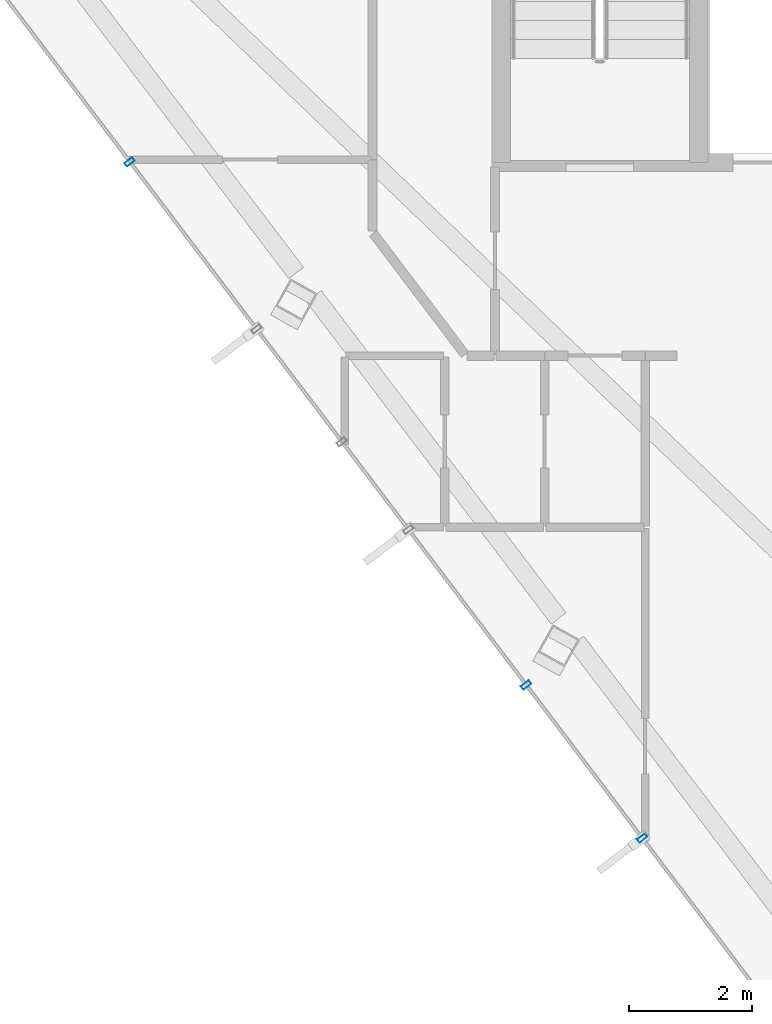
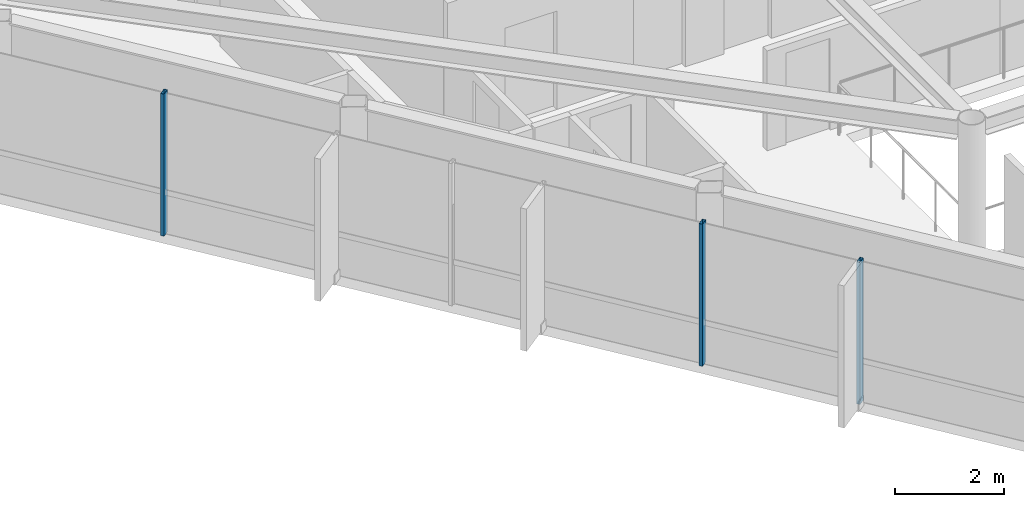
# One storey, part 2 of 26: 3 members, 1 element without a shape of its own.
"""IFC4 building model written with IfcOpenShell, lengths in metres."""

import ifcopenshell
import ifcopenshell.guid

model = None  # the IFC model being written
_history = None  # IfcOwnerHistory: only IFC2X3 demands one
_inside = {}  # id of a spatial element -> (the spatial element, [elements in it])
_under = {}  # id of a project, library or spatial element -> (it, [spatial elements below it])
_declared = {}  # id of a project -> (the project, [libraries it declares])
_typed = {}  # id of a type object -> (the type object, [elements of that type])
_made_of = {}  # id of a material, layer set ... -> (it, [elements and type objects made of it])


def new_model(schema):
    """Start an empty IFC model of exactly this schema.

    Asked for "IFC4X3", IfcOpenShell would pick the latest addendum, in which some entities
    have other attributes; the version numbers below select the first issue.
    IFC2X3 requires an IfcOwnerHistory on every rooted entity: one is made here for all.
    """
    global model, _history
    if schema == "IFC4X3":
        model = ifcopenshell.file(schema_version=(4, 3, 0, 0))
    else:
        model = ifcopenshell.file(schema=schema)
    _inside.clear()
    _under.clear()
    _declared.clear()
    _typed.clear()
    _made_of.clear()
    _history = None
    if model.schema == "IFC2X3":
        org = make("IfcOrganization", Name="unknown")
        user = make(
            "IfcPersonAndOrganization",
            ThePerson=make("IfcPerson", FamilyName="unknown"),
            TheOrganization=org,
        )
        app = make(
            "IfcApplication",
            ApplicationDeveloper=org,
            Version="unknown",
            ApplicationFullName="unknown",
            ApplicationIdentifier="unknown",
        )
        _history = make(
            "IfcOwnerHistory",
            OwningUser=user,
            OwningApplication=app,
            ChangeAction="ADDED",
            CreationDate=0,
        )
    return model


def make(cls, **values):
    """One entity of the class cls with the attributes given. An attribute that is None is left unset."""
    return model.create_entity(
        cls, **{name: value for name, value in values.items() if value is not None}
    )


def rooted(cls, **values):
    """An entity with a GlobalId (a new one), such as an element, a storey or a relation."""
    return make(cls, GlobalId=ifcopenshell.guid.new(), OwnerHistory=_history, **values)


def si_unit(unit_type, name, prefix=None):
    """IfcSIUnit, for example si_unit("LENGTHUNIT", "METRE", prefix="MILLI")."""
    return make("IfcSIUnit", UnitType=unit_type, Prefix=prefix, Name=name)


def assignment(units):
    """IfcUnitAssignment: the units of a project."""
    return None if units is None else make("IfcUnitAssignment", Units=units)


def point(xyz):
    """IfcCartesianPoint."""
    return None if xyz is None else make("IfcCartesianPoint", Coordinates=xyz)


def direction(xyz):
    """IfcDirection."""
    return None if xyz is None else make("IfcDirection", DirectionRatios=xyz)


def frame(location, z_axis=None, x_axis=None):
    """IfcAxis2Placement3D, a coordinate frame: its origin and axes. An axis left out is left unset."""
    return make(
        "IfcAxis2Placement3D",
        Location=point(location),
        Axis=direction(z_axis),
        RefDirection=direction(x_axis),
    )


def frame_2d(location, x_axis=None):
    """IfcAxis2Placement2D, a coordinate frame in the plane: its origin and x axis."""
    return make(
        "IfcAxis2Placement2D", Location=point(location), RefDirection=direction(x_axis)
    )


def origin():
    """The frame at (0, 0, 0) with its axes left unset."""
    return frame((0.0, 0.0, 0.0))


def origin_2d():
    """The frame at (0, 0) in the plane with its x axis left unset."""
    return frame_2d((0.0, 0.0))


def place(relative_to, where):
    """IfcLocalPlacement: puts the frame where relative to a parent placement (None: the world)."""
    return make(
        "IfcLocalPlacement", PlacementRelTo=relative_to, RelativePlacement=where
    )


def context(
    kind, dimensions, precision=None, world=None, true_north=None, identifier=None
):
    """IfcGeometricRepresentationContext, for example the 3D "Model" context."""
    return make(
        "IfcGeometricRepresentationContext",
        ContextIdentifier=identifier,
        ContextType=kind,
        CoordinateSpaceDimension=dimensions,
        Precision=precision,
        WorldCoordinateSystem=world,
        TrueNorth=true_north,
    )


def subcontext(parent, identifier, kind, view, scale=None):
    """IfcGeometricRepresentationSubContext, for example "Body" below "Model"."""
    return make(
        "IfcGeometricRepresentationSubContext",
        ContextIdentifier=identifier,
        ContextType=kind,
        ParentContext=parent,
        TargetScale=scale,
        TargetView=view,
    )


def project(units=None, contexts=None):
    """IfcProject with its units and contexts."""
    return rooted(
        "IfcProject",
        Name="project",
        RepresentationContexts=contexts,
        UnitsInContext=assignment(units),
    )


def spatial(cls, under=None, at=None, **own):
    """A site, building, storey or space (cls), placed at a placement, below another one or the project."""
    s = rooted(cls, ObjectPlacement=at, **own)
    if under is not None:
        _under.setdefault(under.id(), (under, []))[1].append(s)
    return s


def profile(cls, at=None, kind="AREA", **sizes):
    """A parametric profile (cls). Its sizes go by their IFC names, for example OverallWidth=200.0."""
    return make(cls, ProfileType=kind, Position=at, **sizes)


def hollow_rectangle(**sizes):
    """IfcRectangleHollowProfileDef."""
    return profile("IfcRectangleHollowProfileDef", **sizes)


def extrude(swept, where, along, depth):
    """IfcExtrudedAreaSolid: the profile swept, set in the frame where, extruded along a direction by depth."""
    return make(
        "IfcExtrudedAreaSolid",
        SweptArea=swept,
        Position=where,
        ExtrudedDirection=direction(along),
        Depth=depth,
    )


def shape(context_of_items, identifier, shape_type, items):
    """IfcShapeRepresentation: the items that make up one representation, for example the "Body"."""
    return make(
        "IfcShapeRepresentation",
        ContextOfItems=context_of_items,
        RepresentationIdentifier=identifier,
        RepresentationType=shape_type,
        Items=items,
    )


def material(Name=None, Category=None):
    """IfcMaterial."""
    return make("IfcMaterial", Name=Name, Category=Category)


def layer(
    of_material, thickness, ventilated=None, Name=None, Category=None, Priority=None
):
    """IfcMaterialLayer: one layer of a wall or slab, of a material (None: an air gap)."""
    return make(
        "IfcMaterialLayer",
        Material=of_material,
        LayerThickness=thickness,
        IsVentilated=ventilated,
        Name=Name,
        Category=Category,
        Priority=Priority,
    )


def layer_set(layers, Name=None):
    """IfcMaterialLayerSet."""
    return make("IfcMaterialLayerSet", MaterialLayers=layers, LayerSetName=Name)


def material_profile(
    of_material, cross_section, Name=None, Category=None, Priority=None
):
    """IfcMaterialProfile: a cross section and its material."""
    return make(
        "IfcMaterialProfile",
        Name=Name,
        Material=of_material,
        Profile=cross_section,
        Priority=Priority,
        Category=Category,
    )


def profile_set(profiles, Name=None, composite=None):
    """IfcMaterialProfileSet."""
    return make(
        "IfcMaterialProfileSet",
        Name=Name,
        MaterialProfiles=profiles,
        CompositeProfile=composite,
    )


def made_of(thing, what):
    """Note that an element or type object is made of a material, layer set ...; save() writes the relation."""
    if what is not None:
        _made_of.setdefault(what.id(), (what, []))[1].append(thing)
    return thing


def type_object(cls, material=None, **own):
    """A type object (cls), such as IfcWallType, which elements share."""
    return made_of(rooted(cls, **own), material)


def element(
    cls,
    number,
    at=None,
    inside=None,
    cuts=None,
    type_object=None,
    material=None,
    context=None,
    identifier="Body",
    shape_type=None,
    held_by="IfcProductDefinitionShape",
    body=None,
    shapes=None,
    **own,
):
    """One element of the class cls, such as IfcWall. Its Tag is "e" and its number.

    at: its placement. inside: the storey or other place that contains it. cuts: it is an
    opening in that element (IfcRelVoidsElement). A single representation is given by context,
    identifier, shape_type and body (its items); several are given by shapes. held_by: the class
    of the entity that holds the representations. save() writes the other relations.
    """
    e = rooted(cls, Tag="e%d" % number, ObjectPlacement=at, **own)
    if body is not None:
        shapes = [shape(context, identifier, shape_type, body)]
    if shapes is not None:
        e.Representation = make(held_by, Representations=shapes)
    if inside is not None:
        _inside.setdefault(inside.id(), (inside, []))[1].append(e)
    if cuts is not None:
        rooted(
            "IfcRelVoidsElement", RelatingBuildingElement=cuts, RelatedOpeningElement=e
        )
    if type_object is not None:
        _typed.setdefault(type_object.id(), (type_object, []))[1].append(e)
    return made_of(e, material)


def aggregate(whole, parts):
    """IfcRelAggregates: a whole, such as a stair, and the parts it consists of."""
    return rooted("IfcRelAggregates", RelatingObject=whole, RelatedObjects=parts)


def save(model, path):
    """Write the relations noted so far, then the file.

    IfcRelAggregates (storeys below a building ...), IfcRelContainedInSpatialStructure (elements
    in a storey), IfcRelDefinesByType, IfcRelAssociatesMaterial and IfcRelDeclares: one each for
    every whole, place, type object, material and project.
    """
    for whole, parts in _under.values():
        aggregate(whole, parts)
    for where, things in _inside.values():
        rooted(
            "IfcRelContainedInSpatialStructure",
            RelatedElements=things,
            RelatingStructure=where,
        )
    for kind, things in _typed.values():
        rooted("IfcRelDefinesByType", RelatedObjects=things, RelatingType=kind)
    for what, things in _made_of.values():
        rooted("IfcRelAssociatesMaterial", RelatedObjects=things, RelatingMaterial=what)
    for by, libraries in _declared.values():
        rooted("IfcRelDeclares", RelatingContext=by, RelatedDefinitions=libraries)
    model.write(path)


model = new_model("IFC4")

# Units and contexts
model_context = context("Model", 3, precision=1e-05, world=origin(), true_north=direction((0.0, 1.0)))
body_context = subcontext(model_context, "Body", "Model", "MODEL_VIEW")
ifc_project = project(units=[si_unit("LENGTHUNIT", "METRE"), si_unit("AREAUNIT", "SQUARE_METRE"), si_unit("VOLUMEUNIT", "CUBIC_METRE"), si_unit("PLANEANGLEUNIT", "RADIAN"), si_unit("MASSUNIT", "GRAM", prefix="KILO")], contexts=[model_context])

# Site, building, storey
site_placement = place(None, origin())
site = spatial("IfcSite", under=ifc_project, at=site_placement, CompositionType="ELEMENT")
building_placement = place(site_placement, origin())
building = spatial("IfcBuilding", under=site, at=building_placement, Name="Zarrinselat Tower", CompositionType="ELEMENT")
storey_placement = place(building_placement, frame((0.0, 0.0, 265.199951171875)))
storey = spatial("IfcBuildingStorey", under=building, at=storey_placement, Name="L67", CompositionType="ELEMENT", Elevation=265.199951171875)

# Curtain wall, members
ifc_material_1 = material(Name="Extruded Aluminium Alloy EN AW-6063 T6", Category="aluminium")
ifc_layer = layer(ifc_material_1, 0.169921875)
ifc_layer_set = layer_set([ifc_layer], Name="Extruded Aluminium Alloy EN AW-6063 T6")
curtain_wall_type = type_object("IfcCurtainWallType", Name="CWS-RES", PredefinedType="NOTDEFINED", material=ifc_layer_set)
curtain_wall_placement = place(storey_placement, origin())
curtain_wall = element("IfcCurtainWall", 1, at=curtain_wall_placement, inside=storey, type_object=curtain_wall_type, Name="L67 Unitised Curtain Wall CW-L67-E03", PredefinedType="NOTDEFINED")
ifc_material_2 = material(Name="Extruded Aluminium Alloy EN AW-6063 T6", Category="aluminium")
ifc_material_profile = material_profile(ifc_material_2, hollow_rectangle(XDim=0.070068359375, YDim=0.159912109375, WallThickness=0.00390625, at=origin_2d()), Name="RHS 160x70x4")
ifc_profile_set = profile_set([ifc_material_profile], Name="Extruded Aluminium Alloy EN AW-6063 T6")
member_type = type_object("IfcMemberType", Name="MEM-CW-MUL2", PredefinedType="MULLION", material=ifc_profile_set)
member_1_placement = place(storey_placement, frame((22.59326171875, 33.311767578125, 0.0), z_axis=(0.0, 0.0, 1.0), x_axis=(0.603858282603, -0.797091697694, 0.0)))
member_1 = element("IfcMember", 2, at=member_1_placement, type_object=member_type, Name="CW-L67-E03 Mullion 4", PredefinedType="MULLION", context=body_context, shape_type="SweptSolid", body=[
    extrude(hollow_rectangle(XDim=0.070068359375, YDim=0.159912109375, WallThickness=0.00390625, at=origin_2d()), origin(), (0.0, 0.0, 1.0), 3.179931640625),
])
member_2_placement = place(storey_placement, frame((29.05810546875, 24.7783203125, 0.0), z_axis=(0.0, 0.0, 1.0), x_axis=(0.603858282603, -0.797091697694, 0.0)))
member_2 = element("IfcMember", 3, at=member_2_placement, type_object=member_type, Name="CW-L67-E03 Mullion 8", PredefinedType="MULLION", context=body_context, shape_type="SweptSolid", body=[
    extrude(hollow_rectangle(XDim=0.070068359375, YDim=0.159912109375, WallThickness=0.00390625, at=origin_2d()), origin(), (0.0, 0.0, 1.0), 3.179931640625),
])
member_3_placement = place(storey_placement, frame((30.9501953125, 22.280517578125, 0.0), z_axis=(0.0, 0.0, 1.0), x_axis=(0.603858282603, -0.797091697694, 0.0)))
member_3 = element("IfcMember", 4, at=member_3_placement, type_object=member_type, Name="CW-L67-E03 Mullion 9", PredefinedType="MULLION", context=body_context, shape_type="SweptSolid", body=[
    extrude(hollow_rectangle(XDim=0.070068359375, YDim=0.159912109375, WallThickness=0.00390625, at=origin_2d()), origin(), (0.0, 0.0, 1.0), 3.179931640625),
])
aggregate(curtain_wall, [member_1, member_2, member_3])

save(model, "model.ifc")
